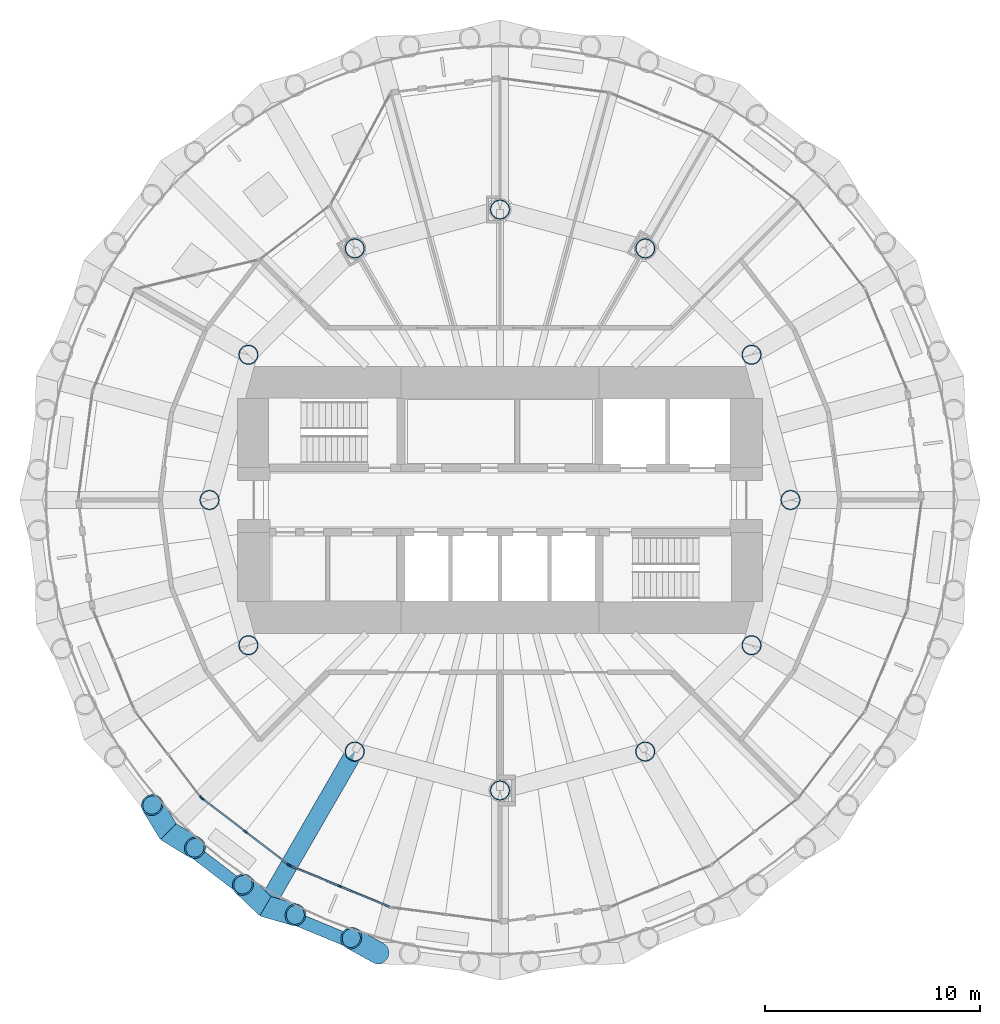
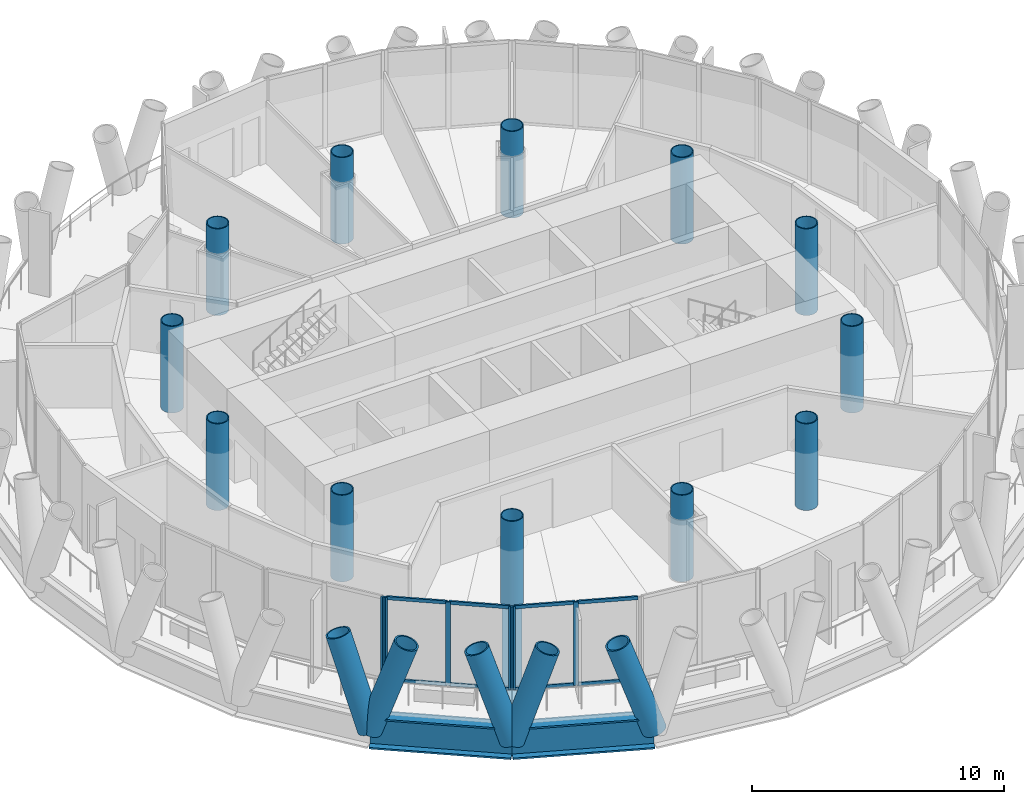
# One storey, part 1 of 14: 19 members, 12 columns, 3 beams, 3 elements without a shape of their own.
"""IFC4 building model written with IfcOpenShell, lengths in metres."""

from ifc_helpers import new_model, si_unit, direction, frame, origin, origin_2d, place, context, subcontext, project, spatial, rectangle, hollow_circle, i_section, extrude, material, material_profile, profile_set, type_object, element, aggregate, save


model = new_model("IFC4")

# Units and contexts
model_context = context("Model", 3, precision=1e-05, world=origin(), true_north=direction((0.0, 1.0)))
body_context = subcontext(model_context, "Body", "Model", "MODEL_VIEW")
ifc_project = project(units=[si_unit("LENGTHUNIT", "METRE"), si_unit("AREAUNIT", "SQUARE_METRE"), si_unit("VOLUMEUNIT", "CUBIC_METRE"), si_unit("PLANEANGLEUNIT", "RADIAN"), si_unit("MASSUNIT", "GRAM", prefix="KILO")], contexts=[model_context])

# Site, building, storey
site_placement = place(None, origin())
site = spatial("IfcSite", under=ifc_project, at=site_placement, CompositionType="ELEMENT")
building_placement = place(site_placement, origin())
building = spatial("IfcBuilding", under=site, at=building_placement, Name="Qaws Media Tower", CompositionType="ELEMENT")
storey_placement = place(building_placement, frame((0.0, 0.0, 261.199951171875)))
storey = spatial("IfcBuildingStorey", under=building, at=storey_placement, Name="L60", CompositionType="ELEMENT", Elevation=261.199951171875)

# Columns
ifc_material_1 = material(Name="Steel S460", Category="steel")
ifc_material_profile_1 = material_profile(ifc_material_1, hollow_circle(Radius=0.45703125, WallThickness=0.044921875, at=origin_2d()), Name="CHS 914x45")
ifc_profile_set_1 = profile_set([ifc_material_profile_1], Name="Steel S460")
column_type = type_object("IfcColumnType", Name="Inner column CHS 914x45", PredefinedType="COLUMN", material=ifc_profile_set_1)
for number, where, z_axis, x_axis, name in (
    (1, (73.5, 50.0, 0.0), (0.0, 0.0, 1.0), (1.0, 0.0, 0.0), "C3 inner column I01 L60"),
    (2, (71.69140625, 56.75, 0.0), (0.0, 0.0, 1.0), (1.0, 0.0, 0.0), "C3 inner column I02 L60"),
    (3, (66.75, 61.69140625, 0.0), (0.0, 0.0, 1.0), (1.0, 0.0, 0.0), "C3 inner column I03 L60"),
    (4, (60.0, 63.5, 0.0), (0.0, 0.0, 1.0), (1.0, 0.0, 0.0), "C3 inner column I04 L60"),
    (5, (53.25, 61.69140625, 0.0), (0.0, 0.0, 1.0), (1.0, 0.0, 0.0), "C3 inner column I05 L60"),
    (6, (48.30859375, 56.75, 0.0), (0.0, 0.0, 1.0), (1.0, 0.0, 0.0), "C3 inner column I06 L60"),
    (7, (46.5, 50.0, 0.0), (0.0, 0.0, 1.0), (1.0, 0.0, 0.0), "C3 inner column I07 L60"),
    (8, (48.30859375, 43.25, 0.0), (0.0, 0.0, 1.0), (1.0, 0.0, 0.0), "C3 inner column I08 L60"),
    (9, (53.25, 38.30859375, 0.0), (0.0, 0.0, 1.0), (1.0, 0.0, 0.0), "C3 inner column I09 L60"),
    (10, (60.0, 36.5, 0.0), (0.0, 0.0, 1.0), (1.0, 0.0, 0.0), "C3 inner column I10 L60"),
    (11, (66.75, 38.30859375, 0.0), (0.0, 0.0, 1.0), (1.0, 0.0, 0.0), "C3 inner column I11 L60"),
    (12, (71.69140625, 43.25, 0.0), (0.0, 0.0, 1.0), (1.0, 0.0, 0.0), "C3 inner column I12 L60"),
):
    element("IfcColumn", number, at=place(storey_placement, frame(where, z_axis=z_axis, x_axis=x_axis)), inside=storey, type_object=column_type, Name=name, PredefinedType="COLUMN", context=body_context, shape_type="SweptSolid", body=[
        extrude(hollow_circle(Radius=0.45703125, WallThickness=0.044921875, at=origin_2d()), origin(), (0.0, 0.0, 1.0), 4.199951171875),
    ])

# Curtain wall, member
ifc_material_2 = material(Name="Aluminium and clear glass", Category="aluminium")
curtain_wall_type = type_object("IfcCurtainWallType", Name="Unitised curtain wall CW-D", PredefinedType="NOTDEFINED", material=ifc_material_2)
curtain_wall_1_placement = place(storey_placement, origin())
curtain_wall_1 = element("IfcCurtainWall", 13, at=curtain_wall_1_placement, inside=storey, type_object=curtain_wall_type, Name="CWD curtain wall L60-15", PredefinedType="NOTDEFINED")
ifc_material_3 = material(Name="Aluminium mullion", Category="aluminium")
ifc_material_profile_2 = material_profile(ifc_material_3, rectangle(XDim=0.080078125, YDim=0.199951171875, at=origin_2d()), Name="80x200")
ifc_profile_set_2 = profile_set([ifc_material_profile_2], Name="Aluminium mullion")
member_type_1 = type_object("IfcMemberType", Name="Curtain wall mullion 80x200", PredefinedType="MULLION", material=ifc_profile_set_2)
member_1_placement = place(storey_placement, frame((46.116455078125, 36.17236328125, 0.0), z_axis=(0.0, 0.0, 1.0), x_axis=(0.793353346996, 0.608761420271, 0.0)))
member_1 = element("IfcMember", 14, at=member_1_placement, type_object=member_type_1, Name="CWD mullion 3", PredefinedType="MULLION", context=body_context, shape_type="SweptSolid", body=[
    extrude(rectangle(XDim=0.080078125, YDim=0.199951171875, at=origin_2d()), origin(), (0.0, 0.0, 1.0), 4.0400390625),
])
aggregate(curtain_wall_1, [member_1])

# Curtain wall, members
curtain_wall_2_placement = place(storey_placement, origin())
curtain_wall_2 = element("IfcCurtainWall", 15, at=curtain_wall_2_placement, inside=storey, type_object=curtain_wall_type, Name="CWD curtain wall L60-16", PredefinedType="NOTDEFINED")
member_2_placement = place(storey_placement, frame((46.17236328125, 36.116455078125, 0.0), z_axis=(0.0, 0.0, 1.0), x_axis=(0.608761420271, 0.793353346996, 0.0)))
member_2 = element("IfcMember", 16, at=member_2_placement, type_object=member_type_1, Name="CWD mullion 1", PredefinedType="MULLION", context=body_context, shape_type="SweptSolid", body=[
    extrude(rectangle(XDim=0.080078125, YDim=0.199951171875, at=origin_2d()), origin(), (0.0, 0.0, 1.0), 4.0400390625),
])
member_3_placement = place(storey_placement, frame((48.17041015625, 34.583251953125, 0.0), z_axis=(0.0, 0.0, 1.0), x_axis=(0.608761420271, 0.793353346996, 0.0)))
member_3 = element("IfcMember", 17, at=member_3_placement, type_object=member_type_1, Name="CWD mullion 2", PredefinedType="MULLION", context=body_context, shape_type="SweptSolid", body=[
    extrude(rectangle(XDim=0.080078125, YDim=0.199951171875, at=origin_2d()), origin(), (0.0, 0.0, 1.0), 4.0400390625),
])
member_4_placement = place(storey_placement, frame((50.168212890625, 33.05029296875, 0.0), z_axis=(0.0, 0.0, 1.0), x_axis=(0.608761420271, 0.793353346996, 0.0)))
member_4 = element("IfcMember", 18, at=member_4_placement, type_object=member_type_1, Name="CWD mullion 3", PredefinedType="MULLION", context=body_context, shape_type="SweptSolid", body=[
    extrude(rectangle(XDim=0.080078125, YDim=0.199951171875, at=origin_2d()), origin(), (0.0, 0.0, 1.0), 4.0400390625),
])

curtain_wall_3_placement = place(storey_placement, origin())
curtain_wall_3 = element("IfcCurtainWall", 19, at=curtain_wall_3_placement, inside=storey, type_object=curtain_wall_type, Name="CWD curtain wall L60-17", PredefinedType="NOTDEFINED")
member_5_placement = place(storey_placement, frame((50.237060546875, 33.010498046875, 0.0), z_axis=(0.0, 0.0, 1.0), x_axis=(0.382683365851, 0.923879560063, 0.0)))
member_5 = element("IfcMember", 20, at=member_5_placement, type_object=member_type_1, Name="CWD mullion 1", PredefinedType="MULLION", context=body_context, shape_type="SweptSolid", body=[
    extrude(rectangle(XDim=0.080078125, YDim=0.199951171875, at=origin_2d()), origin(), (0.0, 0.0, 1.0), 4.0400390625),
])
member_6_placement = place(storey_placement, frame((52.5634765625, 32.046875, 0.0), z_axis=(0.0, 0.0, 1.0), x_axis=(0.382683365851, 0.923879560063, 0.0)))
member_6 = element("IfcMember", 21, at=member_6_placement, type_object=member_type_1, Name="CWD mullion 2", PredefinedType="MULLION", context=body_context, shape_type="SweptSolid", body=[
    extrude(rectangle(XDim=0.080078125, YDim=0.199951171875, at=origin_2d()), origin(), (0.0, 0.0, 1.0), 4.0400390625),
])

# Member
ifc_material_4 = material(Name="Aluminium transom", Category="aluminium")
ifc_material_profile_3 = material_profile(ifc_material_4, rectangle(XDim=0.080078125, YDim=0.159912109375, at=origin_2d()), Name="80x160")
ifc_profile_set_3 = profile_set([ifc_material_profile_3], Name="Aluminium transom")
member_type_2 = type_object("IfcMemberType", Name="Curtain wall transom 80x160", PredefinedType="USERDEFINED", material=ifc_profile_set_3)
member_7_placement = place(storey_placement, frame((46.2041015625, 36.092041015625, 0.0400390625), z_axis=(0.793367800846, -0.608742583183, 0.0), x_axis=(0.608742583183, 0.793367800846, 0.0)))
member_7 = element("IfcMember", 22, at=member_7_placement, type_object=member_type_2, Name="CWD transom 1.1", ObjectType="TRANSOM", PredefinedType="USERDEFINED", context=body_context, shape_type="SweptSolid", body=[
    extrude(rectangle(XDim=0.080078125, YDim=0.159912109375, at=origin_2d()), origin(), (0.0, 0.0, 1.0), 2.4384765625),
])

member_8_placement = place(storey_placement, frame((46.2041015625, 36.092041015625, 4.0), z_axis=(0.793367800846, -0.608742583183, 0.0), x_axis=(0.608742583183, 0.793367800846, 0.0)))
member_8 = element("IfcMember", 23, at=member_8_placement, type_object=member_type_2, Name="CWD transom 1.2", ObjectType="TRANSOM", PredefinedType="USERDEFINED", context=body_context, shape_type="SweptSolid", body=[
    extrude(rectangle(XDim=0.080078125, YDim=0.159912109375, at=origin_2d()), origin(), (0.0, 0.0, 1.0), 2.4384765625),
])

member_9_placement = place(storey_placement, frame((48.2021484375, 34.558837890625, 0.0400390625), z_axis=(0.79337905494, -0.60872791556, 0.0), x_axis=(0.60872791556, 0.79337905494, 0.0)))
member_9 = element("IfcMember", 24, at=member_9_placement, type_object=member_type_2, Name="CWD transom 2.1", ObjectType="TRANSOM", PredefinedType="USERDEFINED", context=body_context, shape_type="SweptSolid", body=[
    extrude(rectangle(XDim=0.080078125, YDim=0.159912109375, at=origin_2d()), origin(), (0.0, 0.0, 1.0), 2.43798828125),
])

member_10_placement = place(storey_placement, frame((48.2021484375, 34.558837890625, 4.0), z_axis=(0.79337905494, -0.60872791556, 0.0), x_axis=(0.60872791556, 0.79337905494, 0.0)))
member_10 = element("IfcMember", 25, at=member_10_placement, type_object=member_type_2, Name="CWD transom 2.2", ObjectType="TRANSOM", PredefinedType="USERDEFINED", context=body_context, shape_type="SweptSolid", body=[
    extrude(rectangle(XDim=0.080078125, YDim=0.159912109375, at=origin_2d()), origin(), (0.0, 0.0, 1.0), 2.43798828125),
])

aggregate(curtain_wall_2, [member_2, member_3, member_4, member_7, member_8, member_9, member_10])

member_11_placement = place(storey_placement, frame((50.27392578125, 32.995361328125, 0.0400390625), z_axis=(0.923877710793, -0.382687830351, 0.0), x_axis=(0.382687830351, 0.923877710793, 0.0)))
member_11 = element("IfcMember", 26, at=member_11_placement, type_object=member_type_2, Name="CWD transom 1.1", ObjectType="TRANSOM", PredefinedType="USERDEFINED", context=body_context, shape_type="SweptSolid", body=[
    extrude(rectangle(XDim=0.080078125, YDim=0.159912109375, at=origin_2d()), origin(), (0.0, 0.0, 1.0), 2.438232421875),
])

member_12_placement = place(storey_placement, frame((50.27392578125, 32.995361328125, 4.0), z_axis=(0.923877710793, -0.382687830351, 0.0), x_axis=(0.382687830351, 0.923877710793, 0.0)))
member_12 = element("IfcMember", 27, at=member_12_placement, type_object=member_type_2, Name="CWD transom 1.2", ObjectType="TRANSOM", PredefinedType="USERDEFINED", context=body_context, shape_type="SweptSolid", body=[
    extrude(rectangle(XDim=0.080078125, YDim=0.159912109375, at=origin_2d()), origin(), (0.0, 0.0, 1.0), 2.438232421875),
])

member_13_placement = place(storey_placement, frame((52.6005859375, 32.031494140625, 0.0400390625), z_axis=(0.923877710793, -0.382687830351, 0.0), x_axis=(0.382687830351, 0.923877710793, 0.0)))
member_13 = element("IfcMember", 28, at=member_13_placement, type_object=member_type_2, Name="CWD transom 2.1", ObjectType="TRANSOM", PredefinedType="USERDEFINED", context=body_context, shape_type="SweptSolid", body=[
    extrude(rectangle(XDim=0.080078125, YDim=0.159912109375, at=origin_2d()), origin(), (0.0, 0.0, 1.0), 2.438232421875),
])

member_14_placement = place(storey_placement, frame((52.6005859375, 32.031494140625, 4.0), z_axis=(0.923877710793, -0.382687830351, 0.0), x_axis=(0.382687830351, 0.923877710793, 0.0)))
member_14 = element("IfcMember", 29, at=member_14_placement, type_object=member_type_2, Name="CWD transom 2.2", ObjectType="TRANSOM", PredefinedType="USERDEFINED", context=body_context, shape_type="SweptSolid", body=[
    extrude(rectangle(XDim=0.080078125, YDim=0.159912109375, at=origin_2d()), origin(), (0.0, 0.0, 1.0), 2.438232421875),
])

aggregate(curtain_wall_3, [member_5, member_6, member_11, member_12, member_13, member_14])

# Members
ifc_material_5 = material(Name="Steel S460", Category="steel")
ifc_material_profile_4 = material_profile(ifc_material_5, hollow_circle(Radius=0.508056640625, WallThickness=0.070068359375, at=origin_2d()), Name="CHS 1016x70")
ifc_profile_set_4 = profile_set([ifc_material_profile_4], Name="Steel S460")
member_type_3 = type_object("IfcMemberType", Name="Diagrid member CHS 1016x70", PredefinedType="USERDEFINED", material=ifc_profile_set_4)
for number, where, z_axis, x_axis, name in (
    (30, (44.5849609375, 34.5849609375, -0.909912109375), (0.278895104553, -0.168710930242, 0.945385711058), (0.517591597438, 0.855627803582, 0.0), "DG3 diagrid L60 A16"),
    (31, (44.5849609375, 34.5849609375, -0.909912109375), (-0.168710930242, 0.278895104553, 0.945385711058), (-0.855627803582, -0.517591597438, 0.0), "DG3 diagrid L60 B16"),
    (32, (49.10009765625, 31.12060546875, -0.909912109375), (0.313025284583, -0.090786125374, 0.945395711145), (0.278549335443, 0.960421921722, 0.0), "DG3 diagrid L60 A17"),
    (33, (49.10009765625, 31.12060546875, -0.909912109375), (-0.235204226864, 0.225697140124, 0.945378110919), (-0.692373895828, -0.721538902884, 0.0), "DG3 diagrid L60 B17"),
    (34, (54.357666015625, 28.94287109375, -0.909912109375), (-0.285545705126, 0.157171038618, 0.94538929278), (-0.482203504183, -0.876059233473, 0.0), "DG3 diagrid L60 B18"),
):
    element("IfcMember", number, at=place(storey_placement, frame(where, z_axis=z_axis, x_axis=x_axis)), inside=storey, type_object=member_type_3, Name=name, ObjectType="DIAGRID", PredefinedType="USERDEFINED", context=body_context, shape_type="SweptSolid", body=[
        extrude(hollow_circle(Radius=0.508056640625, WallThickness=0.070068359375, at=origin_2d()), origin(), (0.0, 0.0, 1.0), 4.442626953125),
    ])

# Beams
ifc_material_6 = material(Name="Steel S460", Category="steel")
ifc_material_profile_5 = material_profile(ifc_material_6, i_section(OverallWidth=0.60009765625, OverallDepth=1.5, WebThickness=0.030029296875, FlangeThickness=0.080078125, at=origin_2d()), Name="PG 1500x600")
ifc_profile_set_5 = profile_set([ifc_material_profile_5], Name="Steel S460")
beam_type_1 = type_object("IfcBeamType", Name="Edge ring beam PG 1500x600", PredefinedType="BEAM", material=ifc_profile_set_5)
beam_1_placement = place(storey_placement, frame((44.5849609375, 34.5849609375, -0.909912109375), z_axis=(0.793372925494, -0.608735904226, 0.0), x_axis=(0.608735904226, 0.793372925494, 0.0)))
element("IfcBeam", 35, at=beam_1_placement, inside=storey, type_object=beam_type_1, Name="RB5 edge ring beam L60-16", PredefinedType="BEAM", context=body_context, shape_type="SweptSolid", body=[
    extrude(i_section(OverallWidth=0.60009765625, OverallDepth=1.5, WebThickness=0.030029296875, FlangeThickness=0.080078125, at=origin_2d()), origin(), (0.0, 0.0, 1.0), 5.691162109375),
])
beam_2_placement = place(storey_placement, frame((49.10009765625, 31.12060546875, -0.909912109375), z_axis=(0.923880883447, -0.382680170901, 0.0), x_axis=(0.382680170901, 0.923880883447, 0.0)))
element("IfcBeam", 36, at=beam_2_placement, inside=storey, type_object=beam_type_1, Name="RB5 edge ring beam L60-17", PredefinedType="BEAM", context=body_context, shape_type="SweptSolid", body=[
    extrude(i_section(OverallWidth=0.60009765625, OverallDepth=1.5, WebThickness=0.030029296875, FlangeThickness=0.080078125, at=origin_2d()), origin(), (0.0, 0.0, 1.0), 5.690673828125),
])
ifc_material_7 = material(Name="Steel S460", Category="steel")
ifc_material_profile_6 = material_profile(ifc_material_7, i_section(OverallWidth=0.800048828125, OverallDepth=1.0, WebThickness=0.0400390625, FlangeThickness=0.10009765625, at=origin_2d()), Name="PG 1000x800")
ifc_profile_set_6 = profile_set([ifc_material_profile_6], Name="Steel S460")
beam_type_2 = type_object("IfcBeamType", Name="Radial girder PG 1000x800", PredefinedType="BEAM", material=ifc_profile_set_6)
beam_3_placement = place(storey_placement, frame((53.25, 38.30859375, -0.659912109375), z_axis=(-0.499992353047, -0.86602981871, 0.0), x_axis=(0.86602981871, -0.499992353047, 0.0)))
element("IfcBeam", 37, at=beam_3_placement, inside=storey, type_object=beam_type_2, Name="B1 radial beam L60 17", PredefinedType="BEAM", context=body_context, shape_type="SweptSolid", body=[
    extrude(i_section(OverallWidth=0.800048828125, OverallDepth=1.0, WebThickness=0.0400390625, FlangeThickness=0.10009765625, at=origin_2d()), origin(), (0.0, 0.0, 1.0), 8.300048828125),
])

save(model, "model.ifc")
